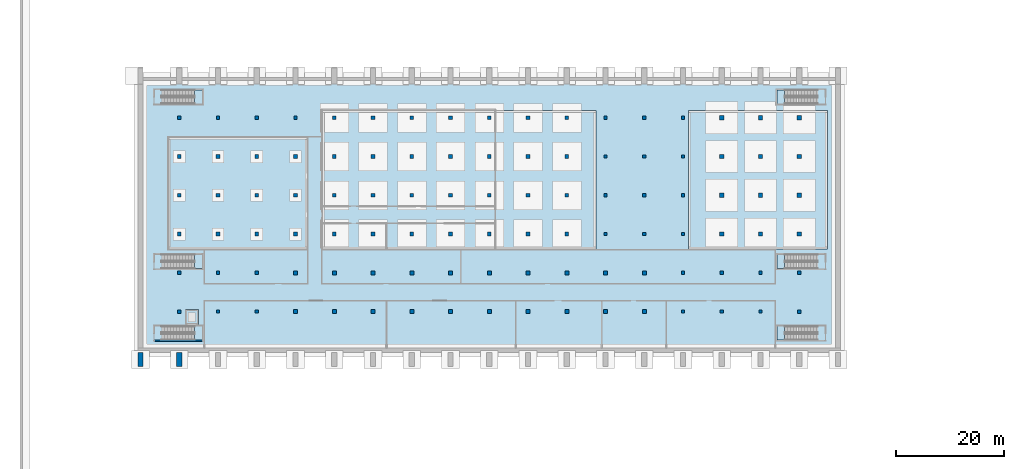
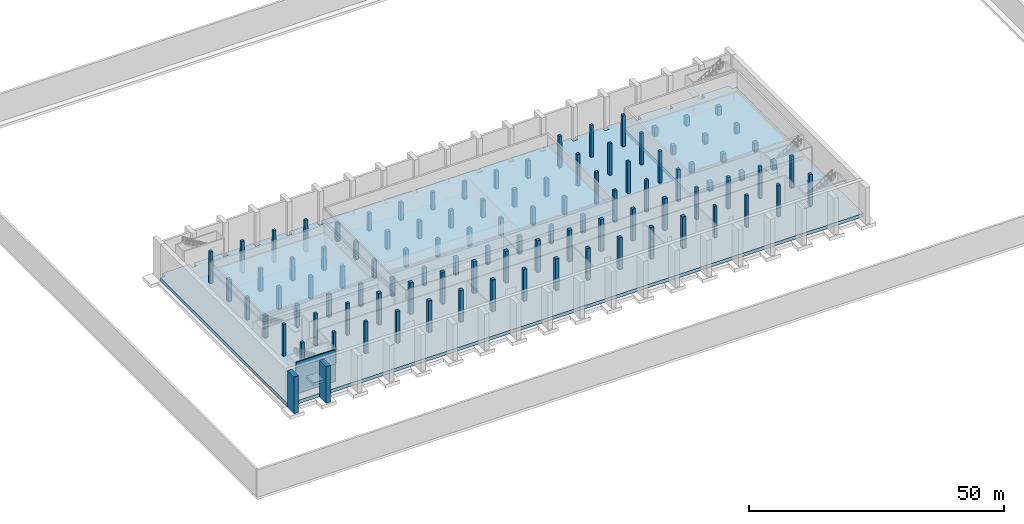
# One storey, part 3 of 14: 102 columns, 11 slabs, 3 walls, 6 elements without a shape of their own.
"""IFC4 building model written with IfcOpenShell, lengths in metres."""

from ifc_helpers import new_model, si_unit, direction, frame, frame_2d, origin, origin_2d, place, context, subcontext, project, spatial, polyline, rectangle, outline, extrude, material, layer, layer_set, material_profile, profile_set, type_object, element, aggregate, save


model = new_model("IFC4")

# Units and contexts
model_context = context("Model", 3, precision=1e-05, world=origin(), true_north=direction((0.0, 1.0)))
body_context = subcontext(model_context, "Body", "Model", "MODEL_VIEW")
ifc_project = project(units=[si_unit("LENGTHUNIT", "METRE"), si_unit("AREAUNIT", "SQUARE_METRE"), si_unit("VOLUMEUNIT", "CUBIC_METRE"), si_unit("PLANEANGLEUNIT", "RADIAN"), si_unit("MASSUNIT", "GRAM", prefix="KILO")], contexts=[model_context])

# Site, building, storey
site_placement = place(None, origin())
site = spatial("IfcSite", under=ifc_project, at=site_placement, CompositionType="ELEMENT")
building_placement = place(site_placement, origin())
building = spatial("IfcBuilding", under=site, at=building_placement, Name="Vermilion Court Aquatics Centre", CompositionType="ELEMENT")
storey_placement = place(building_placement, frame((0.0, 0.0, -8.0)))
storey = spatial("IfcBuildingStorey", under=building, at=storey_placement, Name="B1", CompositionType="ELEMENT", Elevation=-8.0)

# Columns
ifc_material_1 = material(Name="Concrete 5000 psi", Category="concrete")
ifc_material_profile_1 = material_profile(ifc_material_1, rectangle(XDim=0.60009765625, YDim=0.60009765625, at=origin_2d()), Name="RC 600x600")
ifc_profile_set_1 = profile_set([ifc_material_profile_1], Name="Concrete 5000 psi")
column_type_1 = type_object("IfcColumnType", Name="Hall RC 600x600", PredefinedType="COLUMN", material=ifc_profile_set_1)
for number, where, z_axis, x_axis, name in (
    (1, (21.60009765625, 28.800048828125, 0.0), (0.0, 0.0, 1.0), (1.0, 0.0, 0.0), "Basement column 4/E"),
    (2, (28.800048828125, 21.60009765625, 0.0), (0.0, 0.0, 1.0), (1.0, 0.0, 0.0), "Basement column 5/D"),
    (3, (28.800048828125, 28.800048828125, 0.0), (0.0, 0.0, 1.0), (1.0, 0.0, 0.0), "Basement column 5/E"),
    (4, (28.800048828125, 57.60009765625, 0.0), (0.0, 0.0, 1.0), (1.0, 0.0, 0.0), "Basement column 5/J"),
    (5, (36.0, 21.60009765625, 0.0), (0.0, 0.0, 1.0), (1.0, 0.0, 0.0), "Basement column 6/D"),
    (6, (36.0, 28.800048828125, 0.0), (0.0, 0.0, 1.0), (1.0, 0.0, 0.0), "Basement column 6/E"),
    (7, (36.0, 57.60009765625, 0.0), (0.0, 0.0, 1.0), (1.0, 0.0, 0.0), "Basement column 6/J"),
    (8, (43.199951171875, 57.60009765625, 0.0), (0.0, 0.0, 1.0), (1.0, 0.0, 0.0), "Basement column 7/J"),
    (9, (100.800048828125, 36.0, 0.0), (0.0, 0.0, 1.0), (1.0, 0.0, 0.0), "Basement column 15/F"),
    (10, (100.800048828125, 43.199951171875, 0.0), (0.0, 0.0, 1.0), (1.0, 0.0, 0.0), "Basement column 15/G"),
    (11, (100.800048828125, 50.39990234375, 0.0), (0.0, 0.0, 1.0), (1.0, 0.0, 0.0), "Basement column 15/H"),
    (12, (100.800048828125, 57.60009765625, 0.0), (0.0, 0.0, 1.0), (1.0, 0.0, 0.0), "Basement column 15/J"),
    (13, (108.0, 36.0, 0.0), (0.0, 0.0, 1.0), (1.0, 0.0, 0.0), "Basement column 16/F"),
    (14, (108.0, 43.199951171875, 0.0), (0.0, 0.0, 1.0), (1.0, 0.0, 0.0), "Basement column 16/G"),
    (15, (108.0, 50.39990234375, 0.0), (0.0, 0.0, 1.0), (1.0, 0.0, 0.0), "Basement column 16/H"),
    (16, (108.0, 57.60009765625, 0.0), (0.0, 0.0, 1.0), (1.0, 0.0, 0.0), "Basement column 16/J"),
    (17, (115.199951171875, 21.60009765625, 0.0), (0.0, 0.0, 1.0), (1.0, 0.0, 0.0), "Basement column 17/D"),
    (18, (115.199951171875, 28.800048828125, 0.0), (0.0, 0.0, 1.0), (1.0, 0.0, 0.0), "Basement column 17/E"),
    (19, (115.199951171875, 36.0, 0.0), (0.0, 0.0, 1.0), (1.0, 0.0, 0.0), "Basement column 17/F"),
    (20, (115.199951171875, 43.199951171875, 0.0), (0.0, 0.0, 1.0), (1.0, 0.0, 0.0), "Basement column 17/G"),
    (21, (115.199951171875, 50.39990234375, 0.0), (0.0, 0.0, 1.0), (1.0, 0.0, 0.0), "Basement column 17/H"),
    (22, (115.199951171875, 57.60009765625, 0.0), (0.0, 0.0, 1.0), (1.0, 0.0, 0.0), "Basement column 17/J"),
    (23, (122.39990234375, 21.60009765625, 0.0), (0.0, 0.0, 1.0), (1.0, 0.0, 0.0), "Basement column 18/D"),
    (24, (122.39990234375, 28.800048828125, 0.0), (0.0, 0.0, 1.0), (1.0, 0.0, 0.0), "Basement column 18/E"),
    (25, (129.60009765625, 21.60009765625, 0.0), (0.0, 0.0, 1.0), (1.0, 0.0, 0.0), "Basement column 19/D"),
    (26, (129.60009765625, 28.800048828125, 0.0), (0.0, 0.0, 1.0), (1.0, 0.0, 0.0), "Basement column 19/E"),
    (27, (136.800048828125, 28.800048828125, 0.0), (0.0, 0.0, 1.0), (1.0, 0.0, 0.0), "Basement column 20/E"),
):
    element("IfcColumn", number, at=place(storey_placement, frame(where, z_axis=z_axis, x_axis=x_axis)), inside=storey, type_object=column_type_1, Name=name, PredefinedType="COLUMN", context=body_context, shape_type="SweptSolid", body=[
        extrude(rectangle(XDim=0.60009765625, YDim=0.60009765625, at=origin_2d()), origin(), (0.0, 0.0, 1.0), 7.594970703125),
    ])
ifc_material_2 = material(Name="Concrete 5000 psi", Category="concrete")
ifc_material_profile_2 = material_profile(ifc_material_2, rectangle(XDim=0.64990234375, YDim=0.64990234375, at=origin_2d()), Name="RC 650x650")
ifc_profile_set_2 = profile_set([ifc_material_profile_2], Name="Concrete 5000 psi")
column_type_2 = type_object("IfcColumnType", Name="Hall RC 650x650", PredefinedType="COLUMN", material=ifc_profile_set_2)
for number, where, z_axis, x_axis, name in (
    (28, (21.60009765625, 21.60009765625, 0.0), (0.0, 0.0, 1.0), (1.0, 0.0, 0.0), "Basement column 4/D"),
    (29, (21.60009765625, 57.60009765625, 0.0), (0.0, 0.0, 1.0), (1.0, 0.0, 0.0), "Basement column 4/J"),
    (30, (136.800048828125, 21.60009765625, 0.0), (0.0, 0.0, 1.0), (1.0, 0.0, 0.0), "Basement column 20/D"),
):
    element("IfcColumn", number, at=place(storey_placement, frame(where, z_axis=z_axis, x_axis=x_axis)), inside=storey, type_object=column_type_2, Name=name, PredefinedType="COLUMN", context=body_context, shape_type="SweptSolid", body=[
        extrude(rectangle(XDim=0.64990234375, YDim=0.64990234375, at=origin_2d()), origin(), (0.0, 0.0, 1.0), 7.594970703125),
    ])
ifc_material_3 = material(Name="Concrete 5000 psi", Category="concrete")
ifc_material_profile_3 = material_profile(ifc_material_3, rectangle(XDim=0.699951171875, YDim=0.699951171875, at=origin_2d()), Name="RC 700x700")
ifc_profile_set_3 = profile_set([ifc_material_profile_3], Name="Concrete 5000 psi")
column_type_3 = type_object("IfcColumnType", Name="Hall RC 700x700", PredefinedType="COLUMN", material=ifc_profile_set_3)
for number, where, z_axis, x_axis, name in (
    (31, (21.60009765625, 36.0, 0.0), (0.0, 0.0, 1.0), (1.0, 0.0, 0.0), "Basement column 4/F"),
    (32, (21.60009765625, 43.199951171875, 0.0), (0.0, 0.0, 1.0), (1.0, 0.0, 0.0), "Basement column 4/G"),
    (33, (21.60009765625, 50.39990234375, 0.0), (0.0, 0.0, 1.0), (1.0, 0.0, 0.0), "Basement column 4/H"),
    (34, (28.800048828125, 36.0, 0.0), (0.0, 0.0, 1.0), (1.0, 0.0, 0.0), "Basement column 5/F"),
    (35, (28.800048828125, 43.199951171875, 0.0), (0.0, 0.0, 1.0), (1.0, 0.0, 0.0), "Basement column 5/G"),
    (36, (28.800048828125, 50.39990234375, 0.0), (0.0, 0.0, 1.0), (1.0, 0.0, 0.0), "Basement column 5/H"),
    (37, (36.0, 36.0, 0.0), (0.0, 0.0, 1.0), (1.0, 0.0, 0.0), "Basement column 6/F"),
    (38, (36.0, 43.199951171875, 0.0), (0.0, 0.0, 1.0), (1.0, 0.0, 0.0), "Basement column 6/G"),
    (39, (36.0, 50.39990234375, 0.0), (0.0, 0.0, 1.0), (1.0, 0.0, 0.0), "Basement column 6/H"),
    (40, (43.199951171875, 36.0, 0.0), (0.0, 0.0, 1.0), (1.0, 0.0, 0.0), "Basement column 7/F"),
    (41, (43.199951171875, 43.199951171875, 0.0), (0.0, 0.0, 1.0), (1.0, 0.0, 0.0), "Basement column 7/G"),
    (42, (43.199951171875, 50.39990234375, 0.0), (0.0, 0.0, 1.0), (1.0, 0.0, 0.0), "Basement column 7/H"),
):
    element("IfcColumn", number, at=place(storey_placement, frame(where, z_axis=z_axis, x_axis=x_axis)), inside=storey, type_object=column_type_3, Name=name, PredefinedType="COLUMN", context=body_context, shape_type="SweptSolid", body=[
        extrude(rectangle(XDim=0.699951171875, YDim=0.699951171875, at=origin_2d()), origin(), (0.0, 0.0, 1.0), 5.300048828125),
    ])
for number, where, z_axis, x_axis, name in (
    (43, (50.39990234375, 36.0, 0.0), (0.0, 0.0, 1.0), (1.0, 0.0, 0.0), "Basement column 8/F"),
    (44, (50.39990234375, 43.199951171875, 0.0), (0.0, 0.0, 1.0), (1.0, 0.0, 0.0), "Basement column 8/G"),
    (45, (50.39990234375, 50.39990234375, 0.0), (0.0, 0.0, 1.0), (1.0, 0.0, 0.0), "Basement column 8/H"),
    (46, (50.39990234375, 57.60009765625, 0.0), (0.0, 0.0, 1.0), (1.0, 0.0, 0.0), "Basement column 8/J"),
    (47, (57.60009765625, 36.0, 0.0), (0.0, 0.0, 1.0), (1.0, 0.0, 0.0), "Basement column 9/F"),
    (48, (57.60009765625, 43.199951171875, 0.0), (0.0, 0.0, 1.0), (1.0, 0.0, 0.0), "Basement column 9/G"),
    (49, (57.60009765625, 50.39990234375, 0.0), (0.0, 0.0, 1.0), (1.0, 0.0, 0.0), "Basement column 9/H"),
    (50, (57.60009765625, 57.60009765625, 0.0), (0.0, 0.0, 1.0), (1.0, 0.0, 0.0), "Basement column 9/J"),
    (51, (64.800048828125, 36.0, 0.0), (0.0, 0.0, 1.0), (1.0, 0.0, 0.0), "Basement column 10/F"),
    (52, (64.800048828125, 43.199951171875, 0.0), (0.0, 0.0, 1.0), (1.0, 0.0, 0.0), "Basement column 10/G"),
    (53, (64.800048828125, 50.39990234375, 0.0), (0.0, 0.0, 1.0), (1.0, 0.0, 0.0), "Basement column 10/H"),
    (54, (64.800048828125, 57.60009765625, 0.0), (0.0, 0.0, 1.0), (1.0, 0.0, 0.0), "Basement column 10/J"),
    (55, (72.0, 36.0, 0.0), (0.0, 0.0, 1.0), (1.0, 0.0, 0.0), "Basement column 11/F"),
    (56, (72.0, 43.199951171875, 0.0), (0.0, 0.0, 1.0), (1.0, 0.0, 0.0), "Basement column 11/G"),
    (57, (72.0, 50.39990234375, 0.0), (0.0, 0.0, 1.0), (1.0, 0.0, 0.0), "Basement column 11/H"),
    (58, (72.0, 57.60009765625, 0.0), (0.0, 0.0, 1.0), (1.0, 0.0, 0.0), "Basement column 11/J"),
    (59, (79.199951171875, 36.0, 0.0), (0.0, 0.0, 1.0), (1.0, 0.0, 0.0), "Basement column 12/F"),
    (60, (79.199951171875, 43.199951171875, 0.0), (0.0, 0.0, 1.0), (1.0, 0.0, 0.0), "Basement column 12/G"),
    (61, (79.199951171875, 50.39990234375, 0.0), (0.0, 0.0, 1.0), (1.0, 0.0, 0.0), "Basement column 12/H"),
    (62, (79.199951171875, 57.60009765625, 0.0), (0.0, 0.0, 1.0), (1.0, 0.0, 0.0), "Basement column 12/J"),
    (63, (86.39990234375, 36.0, 0.0), (0.0, 0.0, 1.0), (1.0, 0.0, 0.0), "Basement column 13/F"),
    (64, (86.39990234375, 43.199951171875, 0.0), (0.0, 0.0, 1.0), (1.0, 0.0, 0.0), "Basement column 13/G"),
    (65, (86.39990234375, 50.39990234375, 0.0), (0.0, 0.0, 1.0), (1.0, 0.0, 0.0), "Basement column 13/H"),
    (66, (86.39990234375, 57.60009765625, 0.0), (0.0, 0.0, 1.0), (1.0, 0.0, 0.0), "Basement column 13/J"),
    (67, (93.60009765625, 36.0, 0.0), (0.0, 0.0, 1.0), (1.0, 0.0, 0.0), "Basement column 14/F"),
    (68, (93.60009765625, 43.199951171875, 0.0), (0.0, 0.0, 1.0), (1.0, 0.0, 0.0), "Basement column 14/G"),
    (69, (93.60009765625, 50.39990234375, 0.0), (0.0, 0.0, 1.0), (1.0, 0.0, 0.0), "Basement column 14/H"),
    (70, (93.60009765625, 57.60009765625, 0.0), (0.0, 0.0, 1.0), (1.0, 0.0, 0.0), "Basement column 14/J"),
):
    element("IfcColumn", number, at=place(storey_placement, frame(where, z_axis=z_axis, x_axis=x_axis)), inside=storey, type_object=column_type_3, Name=name, PredefinedType="COLUMN", context=body_context, shape_type="SweptSolid", body=[
        extrude(rectangle(XDim=0.699951171875, YDim=0.699951171875, at=origin_2d()), origin(), (0.0, 0.0, 1.0), 4.199951171875),
    ])
ifc_material_4 = material(Name="Concrete 5000 psi", Category="concrete")
ifc_material_profile_4 = material_profile(ifc_material_4, rectangle(XDim=0.75, YDim=0.75, at=origin_2d()), Name="RC 750x750")
ifc_profile_set_4 = profile_set([ifc_material_profile_4], Name="Concrete 5000 psi")
column_type_4 = type_object("IfcColumnType", Name="Hall RC 750x750", PredefinedType="COLUMN", material=ifc_profile_set_4)
for number, where, z_axis, x_axis, name in (
    (71, (43.199951171875, 21.60009765625, 0.0), (0.0, 0.0, 1.0), (1.0, 0.0, 0.0), "Basement column 7/D"),
    (72, (43.199951171875, 28.800048828125, 0.0), (0.0, 0.0, 1.0), (1.0, 0.0, 0.0), "Basement column 7/E"),
    (73, (50.39990234375, 21.60009765625, 0.0), (0.0, 0.0, 1.0), (1.0, 0.0, 0.0), "Basement column 8/D"),
    (74, (50.39990234375, 28.800048828125, 0.0), (0.0, 0.0, 1.0), (1.0, 0.0, 0.0), "Basement column 8/E"),
    (75, (57.60009765625, 21.60009765625, 0.0), (0.0, 0.0, 1.0), (1.0, 0.0, 0.0), "Basement column 9/D"),
    (76, (57.60009765625, 28.800048828125, 0.0), (0.0, 0.0, 1.0), (1.0, 0.0, 0.0), "Basement column 9/E"),
    (77, (64.800048828125, 21.60009765625, 0.0), (0.0, 0.0, 1.0), (1.0, 0.0, 0.0), "Basement column 10/D"),
    (78, (64.800048828125, 28.800048828125, 0.0), (0.0, 0.0, 1.0), (1.0, 0.0, 0.0), "Basement column 10/E"),
    (79, (72.0, 21.60009765625, 0.0), (0.0, 0.0, 1.0), (1.0, 0.0, 0.0), "Basement column 11/D"),
    (80, (72.0, 28.800048828125, 0.0), (0.0, 0.0, 1.0), (1.0, 0.0, 0.0), "Basement column 11/E"),
    (81, (79.199951171875, 21.60009765625, 0.0), (0.0, 0.0, 1.0), (1.0, 0.0, 0.0), "Basement column 12/D"),
    (82, (79.199951171875, 28.800048828125, 0.0), (0.0, 0.0, 1.0), (1.0, 0.0, 0.0), "Basement column 12/E"),
    (83, (86.39990234375, 21.60009765625, 0.0), (0.0, 0.0, 1.0), (1.0, 0.0, 0.0), "Basement column 13/D"),
    (84, (86.39990234375, 28.800048828125, 0.0), (0.0, 0.0, 1.0), (1.0, 0.0, 0.0), "Basement column 13/E"),
    (85, (93.60009765625, 21.60009765625, 0.0), (0.0, 0.0, 1.0), (1.0, 0.0, 0.0), "Basement column 14/D"),
    (86, (93.60009765625, 28.800048828125, 0.0), (0.0, 0.0, 1.0), (1.0, 0.0, 0.0), "Basement column 14/E"),
    (87, (100.800048828125, 21.60009765625, 0.0), (0.0, 0.0, 1.0), (1.0, 0.0, 0.0), "Basement column 15/D"),
    (88, (100.800048828125, 28.800048828125, 0.0), (0.0, 0.0, 1.0), (1.0, 0.0, 0.0), "Basement column 15/E"),
    (89, (108.0, 21.60009765625, 0.0), (0.0, 0.0, 1.0), (1.0, 0.0, 0.0), "Basement column 16/D"),
    (90, (108.0, 28.800048828125, 0.0), (0.0, 0.0, 1.0), (1.0, 0.0, 0.0), "Basement column 16/E"),
):
    element("IfcColumn", number, at=place(storey_placement, frame(where, z_axis=z_axis, x_axis=x_axis)), inside=storey, type_object=column_type_4, Name=name, PredefinedType="COLUMN", context=body_context, shape_type="SweptSolid", body=[
        extrude(rectangle(XDim=0.75, YDim=0.75, at=origin_2d()), origin(), (0.0, 0.0, 1.0), 7.594970703125),
    ])
ifc_material_5 = material(Name="Concrete 5000 psi", Category="concrete")
ifc_material_profile_5 = material_profile(ifc_material_5, rectangle(XDim=0.800048828125, YDim=0.800048828125, at=origin_2d()), Name="RC 800x800")
ifc_profile_set_5 = profile_set([ifc_material_profile_5], Name="Concrete 5000 psi")
column_type_5 = type_object("IfcColumnType", Name="Hall RC 800x800", PredefinedType="COLUMN", material=ifc_profile_set_5)
for number, where, z_axis, x_axis, name in (
    (91, (122.39990234375, 36.0, 0.0), (0.0, 0.0, 1.0), (1.0, 0.0, 0.0), "Basement column 18/F"),
    (92, (122.39990234375, 43.199951171875, 0.0), (0.0, 0.0, 1.0), (1.0, 0.0, 0.0), "Basement column 18/G"),
    (93, (122.39990234375, 50.39990234375, 0.0), (0.0, 0.0, 1.0), (1.0, 0.0, 0.0), "Basement column 18/H"),
    (94, (122.39990234375, 57.60009765625, 0.0), (0.0, 0.0, 1.0), (1.0, 0.0, 0.0), "Basement column 18/J"),
    (95, (129.60009765625, 36.0, 0.0), (0.0, 0.0, 1.0), (1.0, 0.0, 0.0), "Basement column 19/F"),
    (96, (129.60009765625, 43.199951171875, 0.0), (0.0, 0.0, 1.0), (1.0, 0.0, 0.0), "Basement column 19/G"),
    (97, (129.60009765625, 50.39990234375, 0.0), (0.0, 0.0, 1.0), (1.0, 0.0, 0.0), "Basement column 19/H"),
    (98, (129.60009765625, 57.60009765625, 0.0), (0.0, 0.0, 1.0), (1.0, 0.0, 0.0), "Basement column 19/J"),
    (99, (136.800048828125, 36.0, 0.0), (0.0, 0.0, 1.0), (1.0, 0.0, 0.0), "Basement column 20/F"),
    (100, (136.800048828125, 43.199951171875, 0.0), (0.0, 0.0, 1.0), (1.0, 0.0, 0.0), "Basement column 20/G"),
    (101, (136.800048828125, 50.39990234375, 0.0), (0.0, 0.0, 1.0), (1.0, 0.0, 0.0), "Basement column 20/H"),
    (102, (136.800048828125, 57.60009765625, 0.0), (0.0, 0.0, 1.0), (1.0, 0.0, 0.0), "Basement column 20/J"),
):
    element("IfcColumn", number, at=place(storey_placement, frame(where, z_axis=z_axis, x_axis=x_axis)), inside=storey, type_object=column_type_5, Name=name, PredefinedType="COLUMN", context=body_context, shape_type="SweptSolid", body=[
        extrude(rectangle(XDim=0.800048828125, YDim=0.800048828125, at=origin_2d()), origin(), (0.0, 0.0, 1.0), 2.10009765625),
    ])

# Slabs
ifc_material_6 = material(Name="Concrete 5000 psi", Category="concrete")
ifc_layer_1 = layer(ifc_material_6, 0.800048828125)
ifc_layer_set_1 = layer_set([ifc_layer_1], Name="Hall basement floor slab 800")
slab_type_1 = type_object("IfcSlabType", Name="Hall basement floor slab 800", PredefinedType="BASESLAB", material=ifc_layer_set_1)
slab_1_placement = place(storey_placement, frame((0.0, 0.0, -0.800048828125)))
element("IfcSlab", 103, at=slab_1_placement, inside=storey, type_object=slab_type_1, Name="Basement floor slab", PredefinedType="BASESLAB", context=body_context, shape_type="SweptSolid", body=[
    extrude(outline(polyline([(13.89990234375, 14.0), (13.89990234375, 63.89990234375), (14.89990234375, 63.89990234375), (14.89990234375, 65.050048828125), (21.10009765625, 65.050048828125), (21.10009765625, 63.89990234375), (22.10009765625, 63.89990234375), (22.10009765625, 65.050048828125), (28.300048828125, 65.050048828125), (28.300048828125, 63.89990234375), (29.300048828125, 63.89990234375), (29.300048828125, 65.050048828125), (35.5, 65.050048828125), (35.5, 63.89990234375), (36.5, 63.89990234375), (36.5, 65.050048828125), (42.699951171875, 65.050048828125), (42.699951171875, 63.89990234375), (43.699951171875, 63.89990234375), (43.699951171875, 65.050048828125), (49.89990234375, 65.050048828125), (49.89990234375, 63.89990234375), (50.89990234375, 63.89990234375), (50.89990234375, 65.050048828125), (57.10009765625, 65.050048828125), (57.10009765625, 63.89990234375), (58.10009765625, 63.89990234375), (58.10009765625, 65.050048828125), (64.300048828125, 65.050048828125), (64.300048828125, 63.89990234375), (65.300048828125, 63.89990234375), (65.300048828125, 65.050048828125), (71.5, 65.050048828125), (71.5, 63.89990234375), (72.5, 63.89990234375), (72.5, 65.050048828125), (78.699951171875, 65.050048828125), (78.699951171875, 63.89990234375), (79.699951171875, 63.89990234375), (79.699951171875, 65.050048828125), (85.89990234375, 65.050048828125), (85.89990234375, 63.89990234375), (86.89990234375, 63.89990234375), (86.89990234375, 65.050048828125), (93.10009765625, 65.050048828125), (93.10009765625, 63.89990234375), (94.10009765625, 63.89990234375), (94.10009765625, 65.050048828125), (100.300048828125, 65.050048828125), (100.300048828125, 63.89990234375), (101.300048828125, 63.89990234375), (101.300048828125, 65.050048828125), (107.5, 65.050048828125), (107.5, 63.89990234375), (108.5, 63.89990234375), (108.5, 65.050048828125), (114.699951171875, 65.050048828125), (114.699951171875, 63.89990234375), (115.699951171875, 63.89990234375), (115.699951171875, 65.050048828125), (121.89990234375, 65.050048828125), (121.89990234375, 63.89990234375), (122.89990234375, 63.89990234375), (122.89990234375, 65.050048828125), (129.10009765625, 65.050048828125), (129.10009765625, 63.89990234375), (130.10009765625, 63.89990234375), (130.10009765625, 65.050048828125), (136.300048828125, 65.050048828125), (136.300048828125, 63.89990234375), (137.300048828125, 63.89990234375), (137.300048828125, 65.050048828125), (143.5, 65.050048828125), (143.5, 63.89990234375), (144.5, 63.89990234375), (144.5, 14.0), (13.89990234375, 14.0)]), holes=[polyline([(25.14990234375, 21.949951171875), (22.75, 21.949951171875), (22.75, 19.14990234375), (25.14990234375, 19.14990234375), (25.14990234375, 21.949951171875)])]), origin(), (0.0, 0.0, 1.0), 0.800048828125),
])
ifc_material_7 = material(Name="Concrete 6000 psi", Category="concrete")
ifc_layer_2 = layer(ifc_material_7, 0.800048828125)
ifc_layer_set_2 = layer_set([ifc_layer_2], Name="Hall competition pool basin slab 800")
slab_type_2 = type_object("IfcSlabType", Name="Hall competition pool basin slab 800", PredefinedType="BASESLAB", material=ifc_layer_set_2)
slab_2_placement = place(storey_placement, frame((0.0, 0.0, 4.199951171875)))
element("IfcSlab", 104, at=slab_2_placement, inside=storey, type_object=slab_type_2, Name="Competition Pool basin slab", PredefinedType="BASESLAB", context=body_context, shape_type="SweptSolid", body=[
    extrude(outline(polyline([(48.199951171875, 33.199951171875), (99.0, 33.199951171875), (99.0, 59.0), (48.199951171875, 59.0), (48.199951171875, 33.199951171875)])), origin(), (0.0, 0.0, 1.0), 0.800048828125),
])
ifc_material_8 = material(Name="Concrete 6000 psi", Category="concrete")
ifc_layer_3 = layer(ifc_material_8, 0.89990234375)
ifc_layer_set_3 = layer_set([ifc_layer_3], Name="Hall diving pool basin slab 900")
slab_type_3 = type_object("IfcSlabType", Name="Hall diving pool basin slab 900", PredefinedType="BASESLAB", material=ifc_layer_set_3)
slab_3_placement = place(storey_placement, frame((0.0, 0.0, 2.10009765625)))
element("IfcSlab", 105, at=slab_3_placement, inside=storey, type_object=slab_type_3, Name="Diving Pool basin slab", PredefinedType="BASESLAB", context=body_context, shape_type="SweptSolid", body=[
    extrude(outline(polyline([(116.199951171875, 33.199951171875), (142.0, 33.199951171875), (142.0, 59.0), (116.199951171875, 59.0), (116.199951171875, 33.199951171875)])), origin(), (0.0, 0.0, 1.0), 0.89990234375),
])
ifc_material_9 = material(Name="Concrete 5000 psi", Category="concrete")
ifc_layer_4 = layer(ifc_material_9, 0.64990234375)
ifc_layer_set_4 = layer_set([ifc_layer_4], Name="Hall lift pit slab 650")
slab_type_4 = type_object("IfcSlabType", Name="Hall lift pit slab 650", PredefinedType="BASESLAB", material=ifc_layer_set_4)
slab_4_placement = place(storey_placement, frame((0.0, 0.0, -1.85009765625)))
element("IfcSlab", 106, at=slab_4_placement, inside=storey, type_object=slab_type_4, Name="Plant lift pit slab", PredefinedType="BASESLAB", context=body_context, shape_type="SweptSolid", body=[
    extrude(outline(polyline([(22.75, 19.14990234375), (25.14990234375, 19.14990234375), (25.14990234375, 21.949951171875), (22.75, 21.949951171875), (22.75, 19.14990234375)])), origin(), (0.0, 0.0, 1.0), 0.650146484375),
])

# Stair, slab
ifc_material_10 = material(Name="Concrete 5000 psi", Category="concrete")
stair_type = type_object("IfcStairType", Name="Hall exit stair B1 to deck", PredefinedType="HALF_TURN_STAIR", material=ifc_material_10)
stair_1_placement = place(storey_placement, origin())
stair_1 = element("IfcStair", 107, at=stair_1_placement, inside=storey, type_object=stair_type, Name="Exit stair 1", PredefinedType="HALF_TURN_STAIR")
ifc_material_11 = material(Name="Concrete 5000 psi", Category="concrete")
ifc_layer_5 = layer(ifc_material_11, 0.199951171875)
ifc_layer_set_5 = layer_set([ifc_layer_5], Name="Hall stair landing 200")
slab_type_5 = type_object("IfcSlabType", Name="Hall stair landing 200", PredefinedType="LANDING", material=ifc_layer_set_5)
slab_5_placement = place(storey_placement, frame((0.0, 0.0, 3.800048828125)))
slab_5 = element("IfcSlab", 108, at=slab_5_placement, type_object=slab_type_5, Name="HT1 landing 1", PredefinedType="LANDING", context=body_context, shape_type="SweptSolid", body=[
    extrude(outline(polyline([(24.4599609375, 16.300048828125), (25.89990234375, 16.300048828125), (25.89990234375, 18.89990234375), (24.4599609375, 18.89990234375), (24.4599609375, 16.300048828125)])), origin(), (0.0, 0.0, 1.0), 0.199951171875),
])
aggregate(stair_1, [slab_5])

stair_2_placement = place(storey_placement, origin())
stair_2 = element("IfcStair", 109, at=stair_2_placement, inside=storey, type_object=stair_type, Name="Exit stair 2", PredefinedType="HALF_TURN_STAIR")
slab_6_placement = place(storey_placement, frame((0.0, 0.0, 3.800048828125)))
slab_6 = element("IfcSlab", 110, at=slab_6_placement, type_object=slab_type_5, Name="HT1 landing 1", PredefinedType="LANDING", context=body_context, shape_type="SweptSolid", body=[
    extrude(outline(polyline([(24.4599609375, 29.60009765625), (25.89990234375, 29.60009765625), (25.89990234375, 32.199951171875), (24.4599609375, 32.199951171875), (24.4599609375, 29.60009765625)])), origin(), (0.0, 0.0, 1.0), 0.199951171875),
])
aggregate(stair_2, [slab_6])

stair_3_placement = place(storey_placement, origin())
stair_3 = element("IfcStair", 111, at=stair_3_placement, inside=storey, type_object=stair_type, Name="Exit stair 3", PredefinedType="HALF_TURN_STAIR")
slab_7_placement = place(storey_placement, frame((0.0, 0.0, 3.800048828125)))
slab_7 = element("IfcSlab", 112, at=slab_7_placement, type_object=slab_type_5, Name="HT1 landing 1", PredefinedType="LANDING", context=body_context, shape_type="SweptSolid", body=[
    extrude(outline(polyline([(24.4599609375, 60.199951171875), (25.89990234375, 60.199951171875), (25.89990234375, 62.800048828125), (24.4599609375, 62.800048828125), (24.4599609375, 60.199951171875)])), origin(), (0.0, 0.0, 1.0), 0.199951171875),
])
aggregate(stair_3, [slab_7])

stair_4_placement = place(storey_placement, origin())
stair_4 = element("IfcStair", 113, at=stair_4_placement, inside=storey, type_object=stair_type, Name="Exit stair 4", PredefinedType="HALF_TURN_STAIR")
slab_8_placement = place(storey_placement, frame((0.0, 0.0, 3.800048828125)))
slab_8 = element("IfcSlab", 114, at=slab_8_placement, type_object=slab_type_5, Name="HT1 landing 1", PredefinedType="LANDING", context=body_context, shape_type="SweptSolid", body=[
    extrude(outline(polyline([(132.64990234375, 16.300048828125), (134.090087890625, 16.300048828125), (134.090087890625, 18.89990234375), (132.64990234375, 18.89990234375), (132.64990234375, 16.300048828125)])), origin(), (0.0, 0.0, 1.0), 0.199951171875),
])
aggregate(stair_4, [slab_8])

stair_5_placement = place(storey_placement, origin())
stair_5 = element("IfcStair", 115, at=stair_5_placement, inside=storey, type_object=stair_type, Name="Exit stair 5", PredefinedType="HALF_TURN_STAIR")
slab_9_placement = place(storey_placement, frame((0.0, 0.0, 3.800048828125)))
slab_9 = element("IfcSlab", 116, at=slab_9_placement, type_object=slab_type_5, Name="HT1 landing 1", PredefinedType="LANDING", context=body_context, shape_type="SweptSolid", body=[
    extrude(outline(polyline([(132.64990234375, 29.60009765625), (134.090087890625, 29.60009765625), (134.090087890625, 32.199951171875), (132.64990234375, 32.199951171875), (132.64990234375, 29.60009765625)])), origin(), (0.0, 0.0, 1.0), 0.199951171875),
])
aggregate(stair_5, [slab_9])

stair_6_placement = place(storey_placement, origin())
stair_6 = element("IfcStair", 117, at=stair_6_placement, inside=storey, type_object=stair_type, Name="Exit stair 6", PredefinedType="HALF_TURN_STAIR")
slab_10_placement = place(storey_placement, frame((0.0, 0.0, 3.800048828125)))
slab_10 = element("IfcSlab", 118, at=slab_10_placement, type_object=slab_type_5, Name="HT1 landing 1", PredefinedType="LANDING", context=body_context, shape_type="SweptSolid", body=[
    extrude(outline(polyline([(132.64990234375, 60.199951171875), (134.090087890625, 60.199951171875), (134.090087890625, 62.800048828125), (132.64990234375, 62.800048828125), (132.64990234375, 60.199951171875)])), origin(), (0.0, 0.0, 1.0), 0.199951171875),
])
aggregate(stair_6, [slab_10])

# Slab
ifc_material_12 = material(Name="Concrete 6000 psi", Category="concrete")
ifc_layer_6 = layer(ifc_material_12, 0.699951171875)
ifc_layer_set_6 = layer_set([ifc_layer_6], Name="Hall training pool basin slab 700")
slab_type_6 = type_object("IfcSlabType", Name="Hall training pool basin slab 700", PredefinedType="BASESLAB", material=ifc_layer_set_6)
slab_11_placement = place(storey_placement, frame((0.0, 0.0, 5.300048828125)))
element("IfcSlab", 119, at=slab_11_placement, inside=storey, type_object=slab_type_6, Name="Training Pool basin slab", PredefinedType="BASESLAB", context=body_context, shape_type="SweptSolid", body=[
    extrude(outline(polyline([(19.60009765625, 33.199951171875), (45.39990234375, 33.199951171875), (45.39990234375, 54.0), (19.60009765625, 54.0), (19.60009765625, 33.199951171875)])), origin(), (0.0, 0.0, 1.0), 0.699951171875),
])

# Walls
ifc_material_13 = material(Name="Concrete 5000 psi", Category="concrete")
ifc_layer_7 = layer(ifc_material_13, 1.0)
ifc_layer_set_7 = layer_set([ifc_layer_7], Name="Hall basement wall 1000")
wall_type_1 = type_object("IfcWallType", Name="Hall basement wall 1000", PredefinedType="SOLIDWALL", material=ifc_layer_set_7)
for number, where, z_axis, x_axis, name in (
    (120, (14.39990234375, 11.39990234375, -0.800048828125), (0.0, 0.0, 1.0), (0.0, 1.0, 0.0), "Buttress pier base"),
    (121, (21.60009765625, 11.39990234375, -0.800048828125), (0.0, 0.0, 1.0), (0.0, 1.0, 0.0), "Buttress pier base"),
):
    element("IfcWall", number, at=place(storey_placement, frame(where, z_axis=z_axis, x_axis=x_axis)), inside=storey, type_object=wall_type_1, Name=name, PredefinedType="SOLIDWALL", context=body_context, shape_type="SweptSolid", body=[
        extrude(rectangle(XDim=2.60009765625, YDim=1.0, at=frame_2d((1.300048828125, 0.0))), origin(), (0.0, 0.0, 1.0), 8.800048828125),
    ])
ifc_material_14 = material(Name="Concrete 5000 psi", Category="concrete")
ifc_layer_8 = layer(ifc_material_14, 0.25)
ifc_layer_set_8 = layer_set([ifc_layer_8], Name="Hall stair enclosure wall 250")
wall_type_2 = type_object("IfcWallType", Name="Hall stair enclosure wall 250", PredefinedType="SOLIDWALL", material=ifc_layer_set_8)
wall_placement = place(storey_placement, frame((17.0, 16.175048828125, 0.0), z_axis=(0.0, 0.0, 1.0), x_axis=(1.0, 0.0, 0.0)))
element("IfcWall", 122, at=wall_placement, inside=storey, type_object=wall_type_2, Name="Exit stair 1 enclosure wall", PredefinedType="SOLIDWALL", context=body_context, shape_type="SweptSolid", body=[
    extrude(rectangle(XDim=8.89990234375, YDim=0.25, at=frame_2d((4.449951171875, 0.0))), origin(), (0.0, 0.0, 1.0), 7.594970703125),
])

save(model, "model.ifc")
